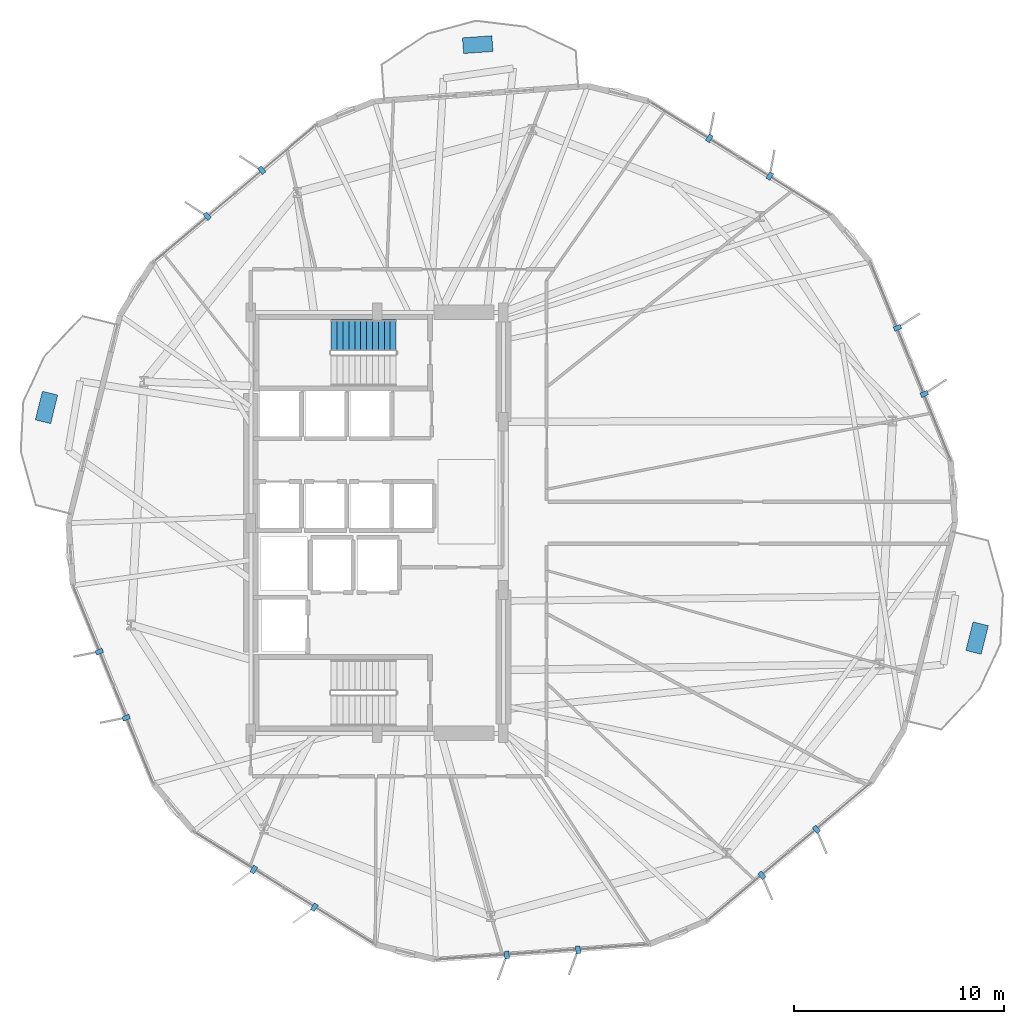
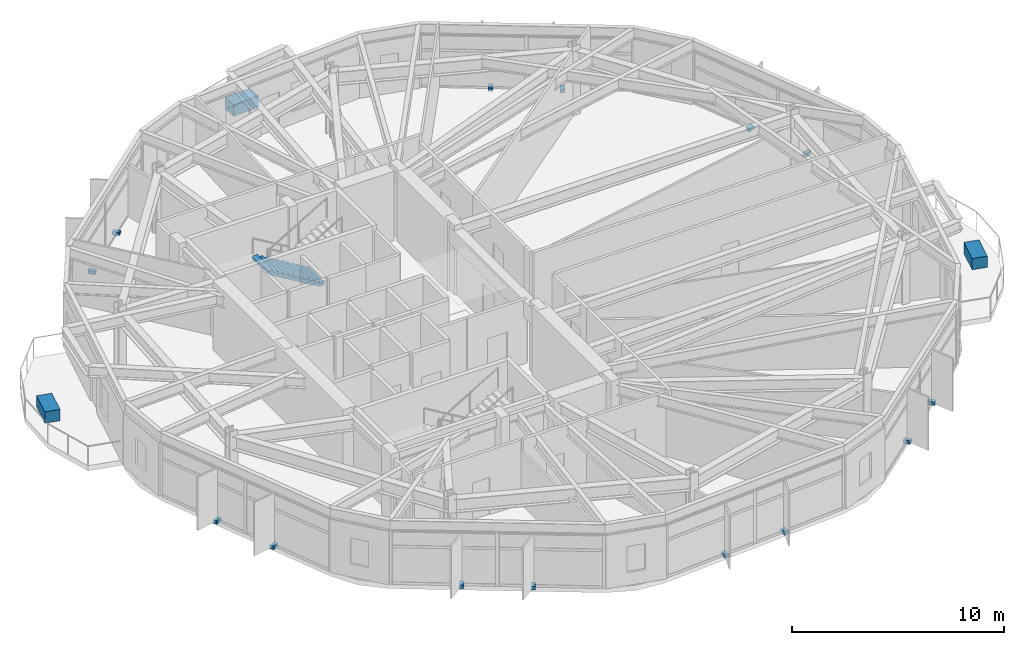
# One storey, part 19 of 22: 17 discrete accessories, 1 stair flight, 1 element without a shape of its own.
"""IFC4 building model written with IfcOpenShell, lengths in metres."""

from ifc_helpers import new_model, si_unit, direction, frame, origin, origin_2d, place, context, subcontext, project, spatial, polyline, rectangle, outline, extrude, material, layer, layer_set, type_object, element, aggregate, save


model = new_model("IFC4")

# Units and contexts
model_context = context("Model", 3, precision=1e-05, world=origin(), true_north=direction((0.0, 1.0)))
body_context = subcontext(model_context, "Body", "Model", "MODEL_VIEW")
ifc_project = project(units=[si_unit("LENGTHUNIT", "METRE"), si_unit("AREAUNIT", "SQUARE_METRE"), si_unit("VOLUMEUNIT", "CUBIC_METRE"), si_unit("PLANEANGLEUNIT", "RADIAN"), si_unit("MASSUNIT", "GRAM", prefix="KILO")], contexts=[model_context])

# Site, building, storey
site_placement = place(None, origin())
site = spatial("IfcSite", under=ifc_project, at=site_placement, CompositionType="ELEMENT")
building_placement = place(site_placement, origin())
building = spatial("IfcBuilding", under=site, at=building_placement, Name="Soratama Intermodal Tower", CompositionType="ELEMENT")
storey_placement = place(building_placement, frame((0.0, 0.0, 42.60009765625)))
storey = spatial("IfcBuildingStorey", under=building, at=storey_placement, Name="L09", CompositionType="ELEMENT", Elevation=42.60009765625)

# Stair, stair flight
ifc_material_1 = material(Name="Concrete f'c 42 MPa", Category="concrete")
stair_type = type_object("IfcStairType", Name="ST-CORE-DOGLEG", PredefinedType="HALF_TURN_STAIR", material=ifc_material_1)
stair_placement = place(storey_placement, origin())
stair = element("IfcStair", 1, at=stair_placement, inside=storey, type_object=stair_type, Name="L09 ST-2", PredefinedType="HALF_TURN_STAIR")
ifc_material_2 = material(Name="Precast concrete f'c 40 MPa", Category="concrete")
ifc_layer = layer(ifc_material_2, 0.199951171875)
ifc_layer_set = layer_set([ifc_layer], Name="Precast concrete f'c 40 MPa")
stair_flight_type = type_object("IfcStairFlightType", Name="SF-FLIGHT-RC", PredefinedType="STRAIGHT", material=ifc_layer_set)
stair_flight_placement = place(storey_placement, frame((39.5, 33.89990234375, 0.0), z_axis=(0.0, 0.0, 1.0), x_axis=(-1.0, 0.0, 0.0)))
stair_flight = element("IfcStairFlight", 2, at=stair_flight_placement, type_object=stair_flight_type, Name="ST-2 flight 1", NumberOfRisers=12, NumberOfTreads=11, PredefinedType="STRAIGHT", RiserHeight=0.166666667, TreadLength=0.28, context=body_context, shape_type="SweptSolid", body=[
    extrude(outline(polyline([(0.0, 0.0), (0.0, 0.166748046875), (0.280029296875, 0.166748046875), (0.280029296875, 0.333251953125), (0.56005859375, 0.333251953125), (0.56005859375, 0.5), (0.840087890625, 0.5), (0.840087890625, 0.666748046875), (1.1201171875, 0.666748046875), (1.1201171875, 0.833251953125), (1.39990234375, 0.833251953125), (1.39990234375, 1.0), (1.679931640625, 1.0), (1.679931640625, 1.166748046875), (1.9599609375, 1.166748046875), (1.9599609375, 1.333251953125), (2.239990234375, 1.333251953125), (2.239990234375, 1.5), (2.52001953125, 1.5), (2.52001953125, 1.666748046875), (2.800048828125, 1.666748046875), (2.800048828125, 1.833251953125), (3.080078125, 1.833251953125), (3.080078125, 2.0), (3.080078125, 1.658935546875), (0.29296875, 0.0), (0.0, 0.0)])), frame((0.0, 0.75, 0.0), z_axis=(0.0, -1.0, 0.0), x_axis=(1.0, 0.0, 0.0)), (0.0, 0.0, 1.0), 1.5),
])
aggregate(stair, [stair_flight])

# Discrete accessories
ifc_material_3 = material(Name="Structural steel ASTM A992 Grade 50", Category="steel")
discrete_accessory_type_1 = type_object("IfcDiscreteAccessoryType", Name="AC-FIN-BRACKET", PredefinedType="BRACKET", material=ifc_material_3)
for number, where, z_axis, x_axis, name in (
    (3, (64.598876953125, 31.1220703125, -0.080078125), (0.0, 0.0, 1.0), (0.926659901464, 0.375900820721, 0.0), "L09 Fin Bracket F01-1"),
    (4, (63.3251953125, 34.261962890625, -0.080078125), (0.0, 0.0, 1.0), (0.926659901464, 0.375900820721, 0.0), "L09 Fin Bracket F01-2"),
    (5, (57.25732421875, 41.47265625, -0.080078125), (0.0, 0.0, 1.0), (0.528734649546, 0.848787176134, 0.0), "L09 Fin Bracket F02-1"),
    (6, (54.38134765625, 43.26416015625, -0.080078125), (0.0, 0.0, 1.0), (0.528734649546, 0.848787176134, 0.0), "L09 Fin Bracket F02-2"),
    (7, (33.121337890625, 41.747802734375, -0.080078125), (0.0, 0.0, 1.0), (-0.643856582585, 0.765146195875, 0.0), "L09 Fin Bracket F04-1"),
    (8, (30.52880859375, 39.566162109375, -0.080078125), (0.0, 0.0, 1.0), (-0.643856582585, 0.765146195875, 0.0), "L09 Fin Bracket F04-2"),
    (9, (25.401123046875, 18.8779296875, -0.080078125), (0.0, 0.0, 1.0), (-0.926659901464, -0.375900820721, 0.0), "L09 Fin Bracket F06-1"),
    (10, (26.6748046875, 15.738037109375, -0.080078125), (0.0, 0.0, 1.0), (-0.926659901464, -0.375900820721, 0.0), "L09 Fin Bracket F06-2"),
    (11, (32.74267578125, 8.52734375, -0.080078125), (0.0, 0.0, 1.0), (-0.528734649546, -0.848787176134, 0.0), "L09 Fin Bracket F07-1"),
    (12, (35.61865234375, 6.73583984375, -0.080078125), (0.0, 0.0, 1.0), (-0.528734649546, -0.848787176134, 0.0), "L09 Fin Bracket F07-2"),
    (13, (44.76611328125, 4.46875, -0.080078125), (0.0, 0.0, 1.0), (0.071149267469, -0.997465679479, 0.0), "L09 Fin Bracket F08-1"),
    (14, (48.145751953125, 4.709716796875, -0.080078125), (0.0, 0.0, 1.0), (0.071149267469, -0.997465679479, 0.0), "L09 Fin Bracket F08-2"),
    (15, (56.878662109375, 8.252197265625, -0.080078125), (0.0, 0.0, 1.0), (0.643856582585, -0.765146195875, 0.0), "L09 Fin Bracket F09-1"),
    (16, (59.47119140625, 10.433837890625, -0.080078125), (0.0, 0.0, 1.0), (0.643856582585, -0.765146195875, 0.0), "L09 Fin Bracket F09-2"),
):
    element("IfcDiscreteAccessory", number, at=place(storey_placement, frame(where, z_axis=z_axis, x_axis=x_axis)), inside=storey, type_object=discrete_accessory_type_1, Name=name, PredefinedType="BRACKET", context=body_context, shape_type="SweptSolid", body=[
        extrude(rectangle(XDim=0.360107421875, YDim=0.219970703125, at=origin_2d()), origin(), (0.0, 0.0, 1.0), 0.199951171875),
    ])
ifc_material_4 = material(Name="Precast concrete f'c 40 MPa", Category="concrete")
discrete_accessory_type_2 = type_object("IfcDiscreteAccessoryType", Name="AC-PLANTER-TREE", PredefinedType="USERDEFINED", material=ifc_material_4)
for number, where, z_axis, x_axis, name in (
    (17, (67.10400390625, 19.521484375, 0.0), (0.0, 0.0, 1.0), (0.970632567035, -0.240566871809, 0.0), "L09 Tree Planter 1"),
    (18, (43.3798828125, 47.71484375, 0.0), (0.0, 0.0, 1.0), (-0.071149267469, 0.997465679479, 0.0), "L09 Tree Planter 2"),
    (19, (22.89599609375, 30.478515625, 0.0), (0.0, 0.0, 1.0), (-0.970632567035, 0.240566871809, 0.0), "L09 Tree Planter 3"),
):
    element("IfcDiscreteAccessory", number, at=place(storey_placement, frame(where, z_axis=z_axis, x_axis=x_axis)), inside=storey, type_object=discrete_accessory_type_2, Name=name, ObjectType="PLANTER", PredefinedType="USERDEFINED", context=body_context, shape_type="SweptSolid", body=[
        extrude(rectangle(XDim=0.75, YDim=1.39990234375, at=origin_2d()), origin(), (0.0, 0.0, 1.0), 0.64990234375),
    ])

save(model, "model.ifc")
